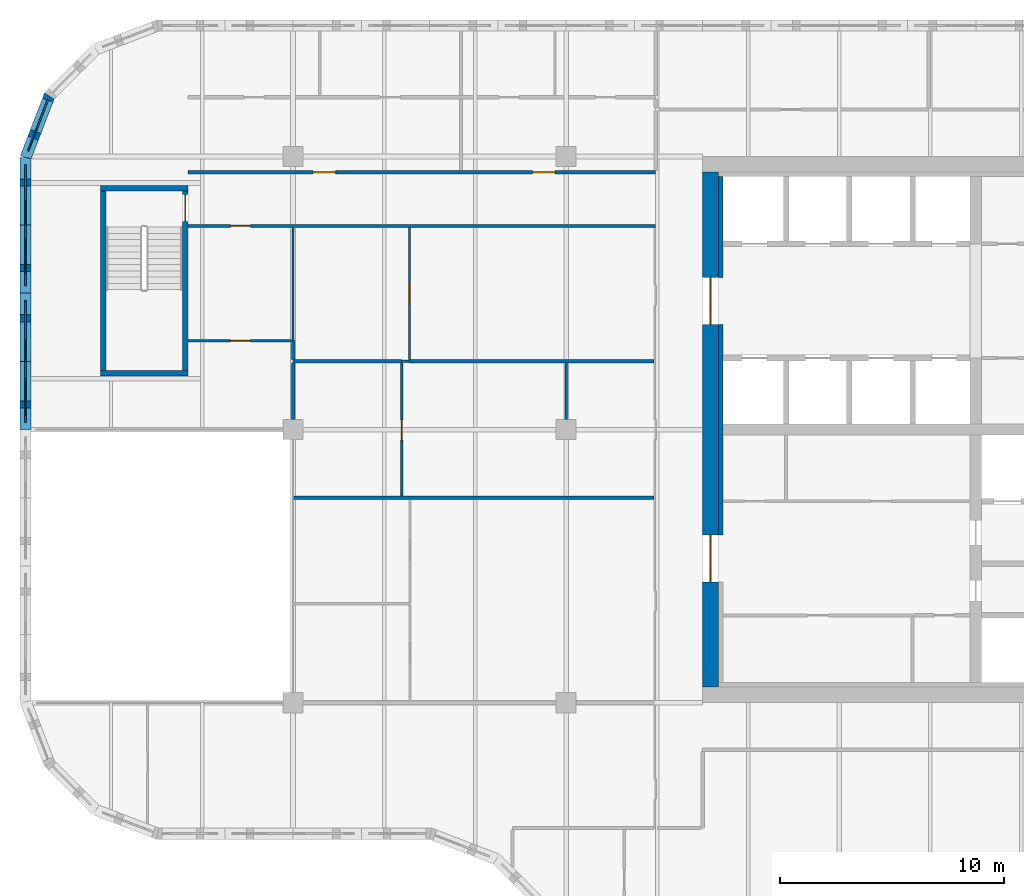
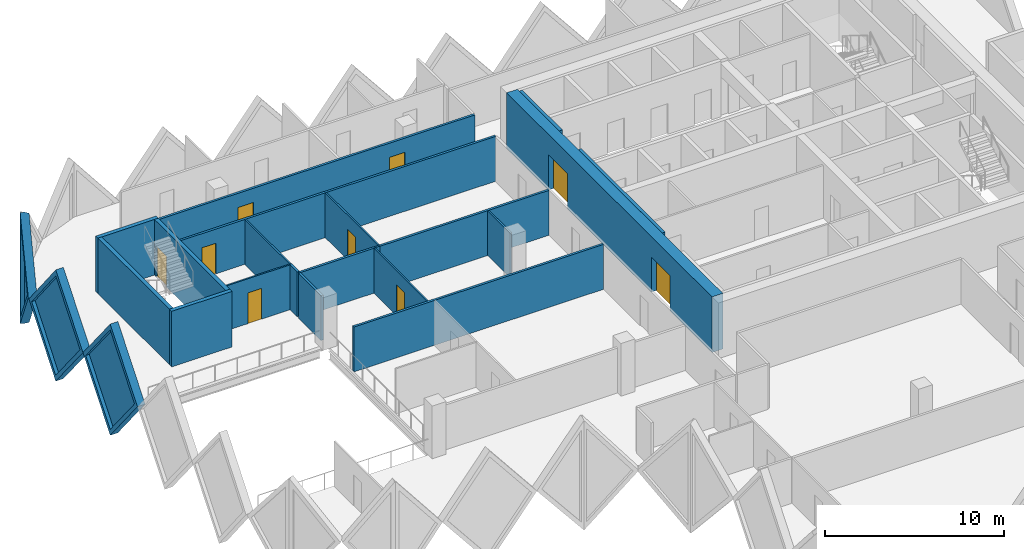
# One storey, part 7 of 12: 23 walls, 9 doors, 3 plates, 12 openings.
"""IFC4 building model written with IfcOpenShell, lengths in metres."""

import ifcopenshell
import ifcopenshell.guid

model = None  # the IFC model being written
_history = None  # IfcOwnerHistory: only IFC2X3 demands one
_inside = {}  # id of a spatial element -> (the spatial element, [elements in it])
_under = {}  # id of a project, library or spatial element -> (it, [spatial elements below it])
_declared = {}  # id of a project -> (the project, [libraries it declares])
_typed = {}  # id of a type object -> (the type object, [elements of that type])
_made_of = {}  # id of a material, layer set ... -> (it, [elements and type objects made of it])


def new_model(schema):
    """Start an empty IFC model of exactly this schema.

    Asked for "IFC4X3", IfcOpenShell would pick the latest addendum, in which some entities
    have other attributes; the version numbers below select the first issue.
    IFC2X3 requires an IfcOwnerHistory on every rooted entity: one is made here for all.
    """
    global model, _history
    if schema == "IFC4X3":
        model = ifcopenshell.file(schema_version=(4, 3, 0, 0))
    else:
        model = ifcopenshell.file(schema=schema)
    _inside.clear()
    _under.clear()
    _declared.clear()
    _typed.clear()
    _made_of.clear()
    _history = None
    if model.schema == "IFC2X3":
        org = make("IfcOrganization", Name="unknown")
        user = make(
            "IfcPersonAndOrganization",
            ThePerson=make("IfcPerson", FamilyName="unknown"),
            TheOrganization=org,
        )
        app = make(
            "IfcApplication",
            ApplicationDeveloper=org,
            Version="unknown",
            ApplicationFullName="unknown",
            ApplicationIdentifier="unknown",
        )
        _history = make(
            "IfcOwnerHistory",
            OwningUser=user,
            OwningApplication=app,
            ChangeAction="ADDED",
            CreationDate=0,
        )
    return model


def make(cls, **values):
    """One entity of the class cls with the attributes given. An attribute that is None is left unset."""
    return model.create_entity(
        cls, **{name: value for name, value in values.items() if value is not None}
    )


def rooted(cls, **values):
    """An entity with a GlobalId (a new one), such as an element, a storey or a relation."""
    return make(cls, GlobalId=ifcopenshell.guid.new(), OwnerHistory=_history, **values)


def si_unit(unit_type, name, prefix=None):
    """IfcSIUnit, for example si_unit("LENGTHUNIT", "METRE", prefix="MILLI")."""
    return make("IfcSIUnit", UnitType=unit_type, Prefix=prefix, Name=name)


def assignment(units):
    """IfcUnitAssignment: the units of a project."""
    return None if units is None else make("IfcUnitAssignment", Units=units)


def point(xyz):
    """IfcCartesianPoint."""
    return None if xyz is None else make("IfcCartesianPoint", Coordinates=xyz)


def direction(xyz):
    """IfcDirection."""
    return None if xyz is None else make("IfcDirection", DirectionRatios=xyz)


def frame(location, z_axis=None, x_axis=None):
    """IfcAxis2Placement3D, a coordinate frame: its origin and axes. An axis left out is left unset."""
    return make(
        "IfcAxis2Placement3D",
        Location=point(location),
        Axis=direction(z_axis),
        RefDirection=direction(x_axis),
    )


def frame_2d(location, x_axis=None):
    """IfcAxis2Placement2D, a coordinate frame in the plane: its origin and x axis."""
    return make(
        "IfcAxis2Placement2D", Location=point(location), RefDirection=direction(x_axis)
    )


def origin():
    """The frame at (0, 0, 0) with its axes left unset."""
    return frame((0.0, 0.0, 0.0))


def place(relative_to, where):
    """IfcLocalPlacement: puts the frame where relative to a parent placement (None: the world)."""
    return make(
        "IfcLocalPlacement", PlacementRelTo=relative_to, RelativePlacement=where
    )


def context(
    kind, dimensions, precision=None, world=None, true_north=None, identifier=None
):
    """IfcGeometricRepresentationContext, for example the 3D "Model" context."""
    return make(
        "IfcGeometricRepresentationContext",
        ContextIdentifier=identifier,
        ContextType=kind,
        CoordinateSpaceDimension=dimensions,
        Precision=precision,
        WorldCoordinateSystem=world,
        TrueNorth=true_north,
    )


def subcontext(parent, identifier, kind, view, scale=None):
    """IfcGeometricRepresentationSubContext, for example "Body" below "Model"."""
    return make(
        "IfcGeometricRepresentationSubContext",
        ContextIdentifier=identifier,
        ContextType=kind,
        ParentContext=parent,
        TargetScale=scale,
        TargetView=view,
    )


def project(units=None, contexts=None):
    """IfcProject with its units and contexts."""
    return rooted(
        "IfcProject",
        Name="project",
        RepresentationContexts=contexts,
        UnitsInContext=assignment(units),
    )


def spatial(cls, under=None, at=None, **own):
    """A site, building, storey or space (cls), placed at a placement, below another one or the project."""
    s = rooted(cls, ObjectPlacement=at, **own)
    if under is not None:
        _under.setdefault(under.id(), (under, []))[1].append(s)
    return s


def polyline(points):
    """IfcPolyline through the points."""
    return make("IfcPolyline", Points=[point(p) for p in points])


def profile(cls, at=None, kind="AREA", **sizes):
    """A parametric profile (cls). Its sizes go by their IFC names, for example OverallWidth=200.0."""
    return make(cls, ProfileType=kind, Position=at, **sizes)


def rectangle(**sizes):
    """IfcRectangleProfileDef."""
    return profile("IfcRectangleProfileDef", **sizes)


def outline(outer, holes=None, kind="AREA"):
    """IfcArbitraryClosedProfileDef: a profile drawn as a closed curve; with holes, ...WithVoids."""
    if holes is None:
        return make("IfcArbitraryClosedProfileDef", ProfileType=kind, OuterCurve=outer)
    return make(
        "IfcArbitraryProfileDefWithVoids",
        ProfileType=kind,
        OuterCurve=outer,
        InnerCurves=holes,
    )


def extrude(swept, where, along, depth):
    """IfcExtrudedAreaSolid: the profile swept, set in the frame where, extruded along a direction by depth."""
    return make(
        "IfcExtrudedAreaSolid",
        SweptArea=swept,
        Position=where,
        ExtrudedDirection=direction(along),
        Depth=depth,
    )


def faces_of(points, faces, orient=None, outer=None):
    """IfcFace entities. A face is a list of loops; a loop is a list of indices into points, from 0.

    orient and outer hold one flag for each loop. By default every Orientation is true, the
    first loop of a face is its IfcFaceOuterBound and the others are IfcFaceBound.
    """
    made = []
    for i, loops in enumerate(faces):
        bounds = []
        for j, loop in enumerate(loops):
            is_outer = j == 0 if outer is None else outer[i][j]
            bounds.append(
                make(
                    "IfcFaceOuterBound" if is_outer else "IfcFaceBound",
                    Bound=make("IfcPolyLoop", Polygon=[points[k] for k in loop]),
                    Orientation=True if orient is None else orient[i][j],
                )
            )
        made.append(make("IfcFace", Bounds=bounds))
    return made


def faceted_brep(points, faces, orient=None, outer=None, voids=None):
    """IfcFacetedBrep: a solid bounded by flat faces; with voids (closed shells), ...WithVoids."""
    shared = [point(p) for p in points]
    hull = make("IfcClosedShell", CfsFaces=faces_of(shared, faces, orient, outer))
    if voids is None:
        return make("IfcFacetedBrep", Outer=hull)
    return make(
        "IfcFacetedBrepWithVoids",
        Outer=hull,
        Voids=[
            make(cls, CfsFaces=faces_of(shared, fs, o, b)) for cls, fs, o, b in voids
        ],
    )


def shape(context_of_items, identifier, shape_type, items):
    """IfcShapeRepresentation: the items that make up one representation, for example the "Body"."""
    return make(
        "IfcShapeRepresentation",
        ContextOfItems=context_of_items,
        RepresentationIdentifier=identifier,
        RepresentationType=shape_type,
        Items=items,
    )


def source(mapping_origin, context_of_items, identifier, shape_type, items):
    """IfcRepresentationMap: a shape defined once, which mapped items show again and again."""
    return make(
        "IfcRepresentationMap",
        MappingOrigin=mapping_origin,
        MappedRepresentation=shape(context_of_items, identifier, shape_type, items),
    )


def transform(
    local_origin,
    x_axis=None,
    y_axis=None,
    z_axis=None,
    scale=None,
    scale2=None,
    scale3=None,
    uniform=True,
):
    """IfcCartesianTransformationOperator3D, or its non-uniform kind. x_axis, y_axis, z_axis: its Axis1, 2, 3."""
    if uniform:
        return make(
            "IfcCartesianTransformationOperator3D",
            Axis1=direction(x_axis),
            Axis2=direction(y_axis),
            LocalOrigin=point(local_origin),
            Scale=scale,
            Axis3=direction(z_axis),
        )
    return make(
        "IfcCartesianTransformationOperator3DnonUniform",
        Axis1=direction(x_axis),
        Axis2=direction(y_axis),
        LocalOrigin=point(local_origin),
        Scale=scale,
        Axis3=direction(z_axis),
        Scale2=scale2,
        Scale3=scale3,
    )


def mapped(mapping_source, mapping_target):
    """IfcMappedItem: shows the shape of a source again, moved by a transform."""
    return make(
        "IfcMappedItem", MappingSource=mapping_source, MappingTarget=mapping_target
    )


def material(Name=None, Category=None):
    """IfcMaterial."""
    return make("IfcMaterial", Name=Name, Category=Category)


def layer(
    of_material, thickness, ventilated=None, Name=None, Category=None, Priority=None
):
    """IfcMaterialLayer: one layer of a wall or slab, of a material (None: an air gap)."""
    return make(
        "IfcMaterialLayer",
        Material=of_material,
        LayerThickness=thickness,
        IsVentilated=ventilated,
        Name=Name,
        Category=Category,
        Priority=Priority,
    )


def layer_set(layers, Name=None):
    """IfcMaterialLayerSet."""
    return make("IfcMaterialLayerSet", MaterialLayers=layers, LayerSetName=Name)


def made_of(thing, what):
    """Note that an element or type object is made of a material, layer set ...; save() writes the relation."""
    if what is not None:
        _made_of.setdefault(what.id(), (what, []))[1].append(thing)
    return thing


def type_object(cls, material=None, **own):
    """A type object (cls), such as IfcWallType, which elements share."""
    return made_of(rooted(cls, **own), material)


def element(
    cls,
    number,
    at=None,
    inside=None,
    cuts=None,
    type_object=None,
    material=None,
    context=None,
    identifier="Body",
    shape_type=None,
    held_by="IfcProductDefinitionShape",
    body=None,
    shapes=None,
    **own,
):
    """One element of the class cls, such as IfcWall. Its Tag is "e" and its number.

    at: its placement. inside: the storey or other place that contains it. cuts: it is an
    opening in that element (IfcRelVoidsElement). A single representation is given by context,
    identifier, shape_type and body (its items); several are given by shapes. held_by: the class
    of the entity that holds the representations. save() writes the other relations.
    """
    e = rooted(cls, Tag="e%d" % number, ObjectPlacement=at, **own)
    if body is not None:
        shapes = [shape(context, identifier, shape_type, body)]
    if shapes is not None:
        e.Representation = make(held_by, Representations=shapes)
    if inside is not None:
        _inside.setdefault(inside.id(), (inside, []))[1].append(e)
    if cuts is not None:
        rooted(
            "IfcRelVoidsElement", RelatingBuildingElement=cuts, RelatedOpeningElement=e
        )
    if type_object is not None:
        _typed.setdefault(type_object.id(), (type_object, []))[1].append(e)
    return made_of(e, material)


def fill(opening, filler):
    """IfcRelFillsElement: the door or window that sits in an opening."""
    return rooted(
        "IfcRelFillsElement",
        RelatingOpeningElement=opening,
        RelatedBuildingElement=filler,
    )


def aggregate(whole, parts):
    """IfcRelAggregates: a whole, such as a stair, and the parts it consists of."""
    return rooted("IfcRelAggregates", RelatingObject=whole, RelatedObjects=parts)


def save(model, path):
    """Write the relations noted so far, then the file.

    IfcRelAggregates (storeys below a building ...), IfcRelContainedInSpatialStructure (elements
    in a storey), IfcRelDefinesByType, IfcRelAssociatesMaterial and IfcRelDeclares: one each for
    every whole, place, type object, material and project.
    """
    for whole, parts in _under.values():
        aggregate(whole, parts)
    for where, things in _inside.values():
        rooted(
            "IfcRelContainedInSpatialStructure",
            RelatedElements=things,
            RelatingStructure=where,
        )
    for kind, things in _typed.values():
        rooted("IfcRelDefinesByType", RelatedObjects=things, RelatingType=kind)
    for what, things in _made_of.values():
        rooted("IfcRelAssociatesMaterial", RelatedObjects=things, RelatingMaterial=what)
    for by, libraries in _declared.values():
        rooted("IfcRelDeclares", RelatingContext=by, RelatedDefinitions=libraries)
    model.write(path)


model = new_model("IFC4")

# Units and contexts
model_context = context("Model", 3, precision=1e-05, world=origin(), true_north=direction((0.0, 1.0)))
body_context = subcontext(model_context, "Body", "Model", "MODEL_VIEW")
ifc_project = project(units=[si_unit("LENGTHUNIT", "METRE"), si_unit("AREAUNIT", "SQUARE_METRE"), si_unit("VOLUMEUNIT", "CUBIC_METRE"), si_unit("PLANEANGLEUNIT", "RADIAN"), si_unit("MASSUNIT", "GRAM", prefix="KILO")], contexts=[model_context])

# Site, building, storey
site_placement = place(None, origin())
site = spatial("IfcSite", under=ifc_project, at=site_placement, CompositionType="ELEMENT")
building_placement = place(site_placement, origin())
building = spatial("IfcBuilding", under=site, at=building_placement, Name="Tessera Gate Towers", CompositionType="ELEMENT")
storey_placement = place(building_placement, frame((0.0, 0.0, 135.39990234375)))
storey = spatial("IfcBuildingStorey", under=building, at=storey_placement, Name="L33", CompositionType="ELEMENT", Elevation=135.39990234375)

# Walls
ifc_material_1 = material(Name="Concrete C40/50", Category="concrete")
ifc_layer_1 = layer(ifc_material_1, 0.25)
ifc_layer_set_1 = layer_set([ifc_layer_1], Name="CORE ENCLOSURE WALL 250")
wall_type_1 = type_object("IfcWallType", Name="CORE ENCLOSURE WALL 250", PredefinedType="SOLIDWALL", material=ifc_layer_set_1)
wall_1_placement = place(storey_placement, frame((7.5, 39.125, 0.0), z_axis=(0.0, 0.0, 1.0), x_axis=(-1.0, 0.0, 0.0)))
element("IfcWall", 1, at=wall_1_placement, inside=storey, type_object=wall_type_1, Name="L33 ST3 enclosure wall", PredefinedType="SOLIDWALL", context=body_context, shape_type="SweptSolid", body=[
    extrude(rectangle(XDim=3.89990234375, YDim=0.25, at=frame_2d((1.949951171875, 0.0))), origin(), (0.0, 0.0, 1.0), 3.800048828125),
])
wall_2_placement = place(storey_placement, frame((3.72509765625, 39.25, 0.0), z_axis=(0.0, 0.0, 1.0), x_axis=(0.0, 1.0, 0.0)))
element("IfcWall", 2, at=wall_2_placement, inside=storey, type_object=wall_type_1, Name="L33 ST3 enclosure wall", PredefinedType="SOLIDWALL", context=body_context, shape_type="SweptSolid", body=[
    extrude(rectangle(XDim=8.0, YDim=0.25, at=frame_2d((4.0, 0.0))), origin(), (0.0, 0.0, 1.0), 3.800048828125),
])
wall_3_placement = place(storey_placement, frame((3.60009765625, 47.375, 0.0), z_axis=(0.0, 0.0, 1.0), x_axis=(1.0, 0.0, 0.0)))
element("IfcWall", 3, at=wall_3_placement, inside=storey, type_object=wall_type_1, Name="L33 ST3 enclosure wall", PredefinedType="SOLIDWALL", context=body_context, shape_type="SweptSolid", body=[
    extrude(rectangle(XDim=3.89990234375, YDim=0.25, at=frame_2d((1.949951171875, 0.0))), origin(), (0.0, 0.0, 1.0), 3.800048828125),
])

# Wall, opening, door
wall_4_placement = place(storey_placement, frame((7.375, 47.25, 0.0), z_axis=(0.0, 0.0, 1.0), x_axis=(0.0, -1.0, 0.0)))
wall_4 = element("IfcWall", 4, at=wall_4_placement, inside=storey, type_object=wall_type_1, Name="L33 ST3 enclosure wall", PredefinedType="SOLIDWALL", context=body_context, shape_type="SweptSolid", body=[
    extrude(rectangle(XDim=8.0, YDim=0.25, at=frame_2d((4.0, 0.0))), origin(), (0.0, 0.0, 1.0), 3.800048828125),
])
shared_shape_1 = source(origin(), body_context, "Body", "SweptSolid", [
    extrude(rectangle(XDim=1.199951171875, YDim=2.10009765625, at=frame_2d((0.60009765625, 1.050048828125))), frame((0.0, 0.135009765625, 0.0), z_axis=(0.0, -1.0, 0.0), x_axis=(1.0, 0.0, 0.0)), (0.0, 0.0, 1.0), 0.27001953125),
])
opening_1_placement = place(wall_4_placement, frame((0.14990234375, 0.0, 0.0)))
opening_1 = element("IfcOpeningElement", 5, at=opening_1_placement, cuts=wall_4, Name="Opening SD-ST3-1", PredefinedType="OPENING", context=body_context, shape_type="MappedRepresentation", body=[
    mapped(shared_shape_1, transform((0.0, 0.0, 0.0), scale=1.0)),
])
ifc_material_2 = material(Name="Hollow steel fire door", Category="steel")
door_type_1 = type_object("IfcDoorType", Name="CORE DOOR SD 1200x2100", OperationType="NOTDEFINED", PredefinedType="DOOR", material=ifc_material_2)
shared_shape_2 = source(origin(), body_context, "Body", "SweptSolid", [
    extrude(rectangle(XDim=1.199951171875, YDim=2.10009765625, at=frame_2d((0.60009765625, 1.050048828125))), frame((0.0, 0.02490234375, 0.0), z_axis=(0.0, -1.0, 0.0), x_axis=(1.0, 0.0, 0.0)), (0.0, 0.0, 1.0), 0.050048828125),
])
door_1_placement = place(opening_1_placement, origin())
door_1 = element("IfcDoor", 6, at=door_1_placement, inside=storey, type_object=door_type_1, Name="Stair door", OperationType="SINGLE_SWING_LEFT", OverallHeight=2.10009765625, OverallWidth=1.199951171875, PredefinedType="DOOR", context=body_context, shape_type="MappedRepresentation", body=[
    mapped(shared_shape_2, transform((0.0, 0.0, 0.0), scale=1.0)),
])
fill(opening_1, door_1)

# Wall, openings, doors
ifc_material_3 = material(Name="Concrete C60/75", Category="concrete")
ifc_layer_2 = layer(ifc_material_3, 0.699951171875)
ifc_layer_set_2 = layer_set([ifc_layer_2], Name="CORE SHEAR WALL 700 C60/75")
wall_type_2 = type_object("IfcWallType", Name="CORE SHEAR WALL 700 C60/75", PredefinedType="SHEAR", material=ifc_layer_set_2)
wall_5_placement = place(storey_placement, frame((30.85009765625, 25.10009765625, 0.0), z_axis=(0.0, 0.0, 1.0), x_axis=(0.0, 1.0, 0.0)))
wall_5 = element("IfcWall", 7, at=wall_5_placement, inside=storey, type_object=wall_type_2, Name="Core wall W L33", PredefinedType="SHEAR", context=body_context, shape_type="SweptSolid", body=[
    extrude(rectangle(XDim=23.0, YDim=0.699951171875, at=frame_2d((11.5, 0.0))), origin(), (0.0, 0.0, 1.0), 3.800048828125),
])
shared_shape_3 = source(origin(), body_context, "Body", "SweptSolid", [
    extrude(rectangle(XDim=2.10009765625, YDim=2.39990234375, at=frame_2d((1.050048828125, 1.199951171875))), frame((0.0, 0.35986328125, 0.0), z_axis=(0.0, -1.0, 0.0), x_axis=(1.0, 0.0, 0.0)), (0.0, 0.0, 1.0), 0.719970703125),
])
opening_2_placement = place(wall_5_placement, frame((4.699951171875, 0.0, 0.0)))
opening_2 = element("IfcOpeningElement", 8, at=opening_2_placement, cuts=wall_5, Name="Opening DD-T1-22-02", PredefinedType="OPENING", context=body_context, shape_type="MappedRepresentation", body=[
    mapped(shared_shape_3, transform((0.0, 0.0, 0.0), scale=1.0)),
])
opening_3_placement = place(wall_5_placement, frame((16.199951171875, 0.0, 0.0)))
opening_3 = element("IfcOpeningElement", 9, at=opening_3_placement, cuts=wall_5, Name="Opening DD-T1-22-03", PredefinedType="OPENING", context=body_context, shape_type="MappedRepresentation", body=[
    mapped(shared_shape_3, transform((0.0, 0.0, 0.0), scale=1.0)),
])
ifc_material_4 = material(Name="Hollow steel fire door", Category="steel")
door_type_2 = type_object("IfcDoorType", Name="CORE DOOR DD 2100x2400", OperationType="NOTDEFINED", PredefinedType="DOOR", material=ifc_material_4)
shared_shape_4 = source(origin(), body_context, "Body", "SweptSolid", [
    extrude(rectangle(XDim=2.10009765625, YDim=2.39990234375, at=frame_2d((1.050048828125, 1.199951171875))), frame((0.0, 0.02490234375, 0.0), z_axis=(0.0, -1.0, 0.0), x_axis=(1.0, 0.0, 0.0)), (0.0, 0.0, 1.0), 0.050048828125),
])
door_2_placement = place(opening_2_placement, origin())
door_2 = element("IfcDoor", 10, at=door_2_placement, inside=storey, type_object=door_type_2, Name="Core entrance door", OperationType="DOUBLE_DOOR_SINGLE_SWING", OverallHeight=2.39990234375, OverallWidth=2.10009765625, PredefinedType="DOOR", context=body_context, shape_type="MappedRepresentation", body=[
    mapped(shared_shape_4, transform((0.0, 0.0, 0.0), scale=1.0)),
])
fill(opening_2, door_2)
door_3_placement = place(opening_3_placement, origin())
door_3 = element("IfcDoor", 11, at=door_3_placement, inside=storey, type_object=door_type_2, Name="Core entrance door", OperationType="DOUBLE_DOOR_SINGLE_SWING", OverallHeight=2.39990234375, OverallWidth=2.10009765625, PredefinedType="DOOR", context=body_context, shape_type="MappedRepresentation", body=[
    mapped(shared_shape_4, transform((0.0, 0.0, 0.0), scale=1.0)),
])
fill(opening_3, door_3)

# Walls
ifc_material_5 = material(Name="Concrete C60/75", Category="concrete")
ifc_layer_3 = layer(ifc_material_5, 0.199951171875)
ifc_layer_set_3 = layer_set([ifc_layer_3], Name="CORE WALL THICKENING 200")
wall_type_3 = type_object("IfcWallType", Name="CORE WALL THICKENING 200", PredefinedType="SOLIDWALL", material=ifc_layer_set_3)
wall_6_placement = place(storey_placement, frame((31.300048828125, 31.89990234375, 0.0), z_axis=(0.0, 0.0, 1.0), x_axis=(0.0, 1.0, 0.0)))
element("IfcWall", 12, at=wall_6_placement, inside=storey, type_object=wall_type_3, Name="Core wall thickening W L33", PredefinedType="SOLIDWALL", context=body_context, shape_type="SweptSolid", body=[
    extrude(rectangle(XDim=9.400146484375, YDim=0.199951171875, at=frame_2d((4.7001953125, 0.0))), origin(), (0.0, 0.0, 1.0), 3.800048828125),
])
wall_7_placement = place(storey_placement, frame((31.300048828125, 43.39990234375, 0.0), z_axis=(0.0, 0.0, 1.0), x_axis=(0.0, 1.0, 0.0)))
element("IfcWall", 13, at=wall_7_placement, inside=storey, type_object=wall_type_3, Name="Core wall thickening W L33", PredefinedType="SOLIDWALL", context=body_context, shape_type="SweptSolid", body=[
    extrude(rectangle(XDim=4.5, YDim=0.199951171875, at=frame_2d((2.25, 0.0))), origin(), (0.0, 0.0, 1.0), 3.800048828125),
])

# Wall, opening, door
ifc_material_6 = material(Name="Gypsum board on steel studs, mineral wool", Category="steel")
ifc_layer_4 = layer(ifc_material_6, 0.14990234375)
ifc_layer_set_4 = layer_set([ifc_layer_4], Name="CORRIDOR WALL 150")
wall_type_4 = type_object("IfcWallType", Name="CORRIDOR WALL 150", PredefinedType="PARTITIONING", material=ifc_layer_set_4)
wall_8_placement = place(storey_placement, frame((28.39990234375, 45.699951171875, 0.0), z_axis=(0.0, 0.0, 1.0), x_axis=(-1.0, 0.0, 0.0)))
wall_8 = element("IfcWall", 14, at=wall_8_placement, inside=storey, type_object=wall_type_4, Name="T1-L33-PW-046", PredefinedType="PARTITIONING", context=body_context, shape_type="SweptSolid", body=[
    extrude(rectangle(XDim=20.89990234375, YDim=0.14990234375, at=frame_2d((10.449951171875, 0.0))), origin(), (0.0, 0.0, 1.0), 3.067138671875),
])
shared_shape_5 = source(origin(), body_context, "Body", "SweptSolid", [
    extrude(rectangle(XDim=0.89990234375, YDim=2.10009765625, at=frame_2d((0.449951171875, 1.050048828125))), frame((0.0, 0.0849609375, 0.0), z_axis=(0.0, -1.0, 0.0), x_axis=(1.0, 0.0, 0.0)), (0.0, 0.0, 1.0), 0.169921875),
])
opening_4_placement = place(wall_8_placement, frame((18.10009765625, 0.0, 0.0)))
opening_4 = element("IfcOpeningElement", 15, at=opening_4_placement, cuts=wall_8, Name="Opening D890FD60-A12-02", PredefinedType="OPENING", context=body_context, shape_type="MappedRepresentation", body=[
    mapped(shared_shape_5, transform((0.0, 0.0, 0.0), scale=1.0)),
])
ifc_material_7 = material(Name="Timber door leaf in steel frame", Category="steel")
door_type_3 = type_object("IfcDoorType", Name="CORRIDOR DOOR 900 FD60", OperationType="NOTDEFINED", PredefinedType="DOOR", material=ifc_material_7)
shared_shape_6 = source(origin(), body_context, "Body", "SweptSolid", [
    extrude(rectangle(XDim=0.89990234375, YDim=2.10009765625, at=frame_2d((0.449951171875, 1.050048828125))), frame((0.0, 0.02490234375, 0.0), z_axis=(0.0, -1.0, 0.0), x_axis=(1.0, 0.0, 0.0)), (0.0, 0.0, 1.0), 0.050048828125),
])
door_4_placement = place(opening_4_placement, origin())
door_4 = element("IfcDoor", 16, at=door_4_placement, inside=storey, type_object=door_type_3, Name="T1-L33-PD-010", OperationType="SINGLE_SWING_RIGHT", OverallHeight=2.10009765625, OverallWidth=0.89990234375, PredefinedType="DOOR", context=body_context, shape_type="MappedRepresentation", body=[
    mapped(shared_shape_6, transform((0.0, 0.0, 0.0), scale=1.0)),
])
fill(opening_4, door_4)

# Wall, openings, doors
wall_9_placement = place(storey_placement, frame((7.5, 48.10009765625, 0.0), z_axis=(0.0, 0.0, 1.0), x_axis=(1.0, 0.0, 0.0)))
wall_9 = element("IfcWall", 17, at=wall_9_placement, inside=storey, type_object=wall_type_4, Name="T1-L33-PW-047", PredefinedType="PARTITIONING", context=body_context, shape_type="SweptSolid", body=[
    extrude(rectangle(XDim=20.89990234375, YDim=0.14990234375, at=frame_2d((10.449951171875, 0.0))), origin(), (0.0, 0.0, 1.0), 3.067138671875),
])
shared_shape_7 = source(origin(), body_context, "Body", "SweptSolid", [
    extrude(rectangle(XDim=1.0, YDim=2.10009765625, at=frame_2d((0.5, 1.050048828125))), frame((0.0, 0.0849609375, 0.0), z_axis=(0.0, -1.0, 0.0), x_axis=(1.0, 0.0, 0.0)), (0.0, 0.0, 1.0), 0.169921875),
])
opening_5_placement = place(wall_9_placement, frame((15.40087890625, 0.0, 0.0)))
opening_5 = element("IfcOpeningElement", 18, at=opening_5_placement, cuts=wall_9, Name="Opening D2100FD60-A12-02", PredefinedType="OPENING", context=body_context, shape_type="MappedRepresentation", body=[
    mapped(shared_shape_7, transform((0.0, 0.0, 0.0), scale=1.0)),
])
opening_6_placement = place(wall_9_placement, frame((5.60009765625, 0.0, 0.0)))
opening_6 = element("IfcOpeningElement", 19, at=opening_6_placement, cuts=wall_9, Name="Opening D2100FD60-A12-03", PredefinedType="OPENING", context=body_context, shape_type="MappedRepresentation", body=[
    mapped(shared_shape_7, transform((0.0, 0.0, 0.0), scale=1.0)),
])
ifc_material_8 = material(Name="Timber door leaf in steel frame", Category="steel")
door_type_4 = type_object("IfcDoorType", Name="TENANCY ENTRANCE DOOR 1000 FD60", OperationType="NOTDEFINED", PredefinedType="DOOR", material=ifc_material_8)
shared_shape_8 = source(origin(), body_context, "Body", "SweptSolid", [
    extrude(rectangle(XDim=1.0, YDim=2.10009765625, at=frame_2d((0.5, 1.050048828125))), frame((0.0, 0.02490234375, 0.0), z_axis=(0.0, -1.0, 0.0), x_axis=(1.0, 0.0, 0.0)), (0.0, 0.0, 1.0), 0.050048828125),
])
door_5_placement = place(opening_5_placement, origin())
door_5 = element("IfcDoor", 20, at=door_5_placement, inside=storey, type_object=door_type_4, Name="T1-L33-PD-025", OperationType="SINGLE_SWING_LEFT", OverallHeight=2.10009765625, OverallWidth=1.0, PredefinedType="DOOR", context=body_context, shape_type="MappedRepresentation", body=[
    mapped(shared_shape_8, transform((0.0, 0.0, 0.0), scale=1.0)),
])
fill(opening_5, door_5)
door_6_placement = place(opening_6_placement, origin())
door_6 = element("IfcDoor", 21, at=door_6_placement, inside=storey, type_object=door_type_4, Name="T1-L33-PD-030", OperationType="SINGLE_SWING_LEFT", OverallHeight=2.10009765625, OverallWidth=1.0, PredefinedType="DOOR", context=body_context, shape_type="MappedRepresentation", body=[
    mapped(shared_shape_8, transform((0.0, 0.0, 0.0), scale=1.0)),
])
fill(opening_6, door_6)

# Wall
ifc_material_9 = material(Name="Glass", Category="glass")
ifc_layer_5 = layer(ifc_material_9, 0.10009765625)
ifc_layer_set_5 = layer_set([ifc_layer_5], Name="GLAZED PARTITION 100")
wall_type_5 = type_object("IfcWallType", Name="GLAZED PARTITION 100", PredefinedType="PARTITIONING", material=ifc_layer_set_5)
wall_10_placement = place(storey_placement, frame((17.051025390625, 39.64990234375, 0.0), z_axis=(0.0, 0.0, 1.0), x_axis=(1.0, 0.0, 0.0)))
element("IfcWall", 22, at=wall_10_placement, inside=storey, type_object=wall_type_5, Name="T1-L33-PW-040", PredefinedType="PARTITIONING", context=body_context, shape_type="SweptSolid", body=[
    extrude(rectangle(XDim=0.347900390625, YDim=0.10009765625, at=frame_2d((0.173828125, 0.0))), origin(), (0.0, 0.0, 1.0), 3.067138671875),
])

# Wall, opening, door
wall_11_placement = place(storey_placement, frame((17.39990234375, 39.72607421875, 0.0), z_axis=(0.0, 0.0, 1.0), x_axis=(0.0, 1.0, 0.0)))
wall_11 = element("IfcWall", 23, at=wall_11_placement, inside=storey, type_object=wall_type_5, Name="T1-L33-PW-043", PredefinedType="PARTITIONING", context=body_context, shape_type="SweptSolid", body=[
    extrude(rectangle(XDim=5.89794921875, YDim=0.10009765625, at=frame_2d((2.948974609375, 0.0))), origin(), (0.0, 0.0, 1.0), 3.067138671875),
])
shared_shape_9 = source(origin(), body_context, "Body", "SweptSolid", [
    extrude(rectangle(XDim=0.89990234375, YDim=2.10009765625, at=frame_2d((0.449951171875, 1.050048828125))), frame((0.0, 0.06005859375, 0.0), z_axis=(0.0, -1.0, 0.0), x_axis=(1.0, 0.0, 0.0)), (0.0, 0.0, 1.0), 0.1201171875),
])
opening_7_placement = place(wall_11_placement, frame((2.5, 0.0, 0.0)))
opening_7 = element("IfcOpeningElement", 24, at=opening_7_placement, cuts=wall_11, Name="Opening D690-A12-03", PredefinedType="OPENING", context=body_context, shape_type="MappedRepresentation", body=[
    mapped(shared_shape_9, transform((0.0, 0.0, 0.0), scale=1.0)),
])
ifc_material_10 = material(Name="Glass in aluminium frame", Category="aluminium")
door_type_5 = type_object("IfcDoorType", Name="GLAZED DOOR 900 NOT RATED", OperationType="NOTDEFINED", PredefinedType="DOOR", material=ifc_material_10)
door_7_placement = place(opening_7_placement, origin())
door_7 = element("IfcDoor", 25, at=door_7_placement, inside=storey, type_object=door_type_5, Name="T1-L33-PD-017", OperationType="SINGLE_SWING_LEFT", OverallHeight=2.10009765625, OverallWidth=0.89990234375, PredefinedType="DOOR", context=body_context, shape_type="MappedRepresentation", body=[
    mapped(shared_shape_6, transform((0.0, 0.0, 0.0), scale=1.0)),
])
fill(opening_7, door_7)

wall_12_placement = place(storey_placement, frame((12.1240234375, 40.574951171875, 0.0), z_axis=(0.0, 0.0, 1.0), x_axis=(-1.0, 0.0, 0.0)))
wall_12 = element("IfcWall", 26, at=wall_12_placement, inside=storey, type_object=wall_type_5, Name="T1-L33-PW-044", PredefinedType="PARTITIONING", context=body_context, shape_type="SweptSolid", body=[
    extrude(rectangle(XDim=4.6240234375, YDim=0.10009765625, at=frame_2d((2.31201171875, 0.0))), origin(), (0.0, 0.0, 1.0), 3.067138671875),
])
opening_8_placement = place(wall_12_placement, frame((1.823974609375, 0.0, 0.0)))
opening_8 = element("IfcOpeningElement", 27, at=opening_8_placement, cuts=wall_12, Name="Opening D690-A12-01", PredefinedType="OPENING", context=body_context, shape_type="MappedRepresentation", body=[
    mapped(shared_shape_9, transform((0.0, 0.0, 0.0), scale=1.0)),
])
door_8_placement = place(opening_8_placement, origin())
door_8 = element("IfcDoor", 28, at=door_8_placement, inside=storey, type_object=door_type_5, Name="T1-L33-PD-009", OperationType="SINGLE_SWING_RIGHT", OverallHeight=2.10009765625, OverallWidth=0.89990234375, PredefinedType="DOOR", context=body_context, shape_type="MappedRepresentation", body=[
    mapped(shared_shape_6, transform((0.0, 0.0, 0.0), scale=1.0)),
])
fill(opening_8, door_8)

# Wall
wall_13_placement = place(storey_placement, frame((12.199951171875, 40.575927734375, 0.0), z_axis=(0.0, 0.0, 1.0), x_axis=(0.0, 1.0, 0.0)))
element("IfcWall", 29, at=wall_13_placement, inside=storey, type_object=wall_type_5, Name="T1-L33-PW-045", PredefinedType="PARTITIONING", context=body_context, shape_type="SweptSolid", body=[
    extrude(rectangle(XDim=5.048095703125, YDim=0.10009765625, at=frame_2d((2.52392578125, 0.0))), origin(), (0.0, 0.0, 1.0), 3.067138671875),
])

# Wall, opening, door
ifc_material_11 = material(Name="Gypsum board on steel studs", Category="steel")
ifc_layer_6 = layer(ifc_material_11, 0.10009765625)
ifc_layer_set_6 = layer_set([ifc_layer_6], Name="PARTITION 100")
wall_type_6 = type_object("IfcWallType", Name="PARTITION 100", PredefinedType="PARTITIONING", material=ifc_layer_set_6)
wall_14_placement = place(storey_placement, frame((17.050048828125, 33.6259765625, 0.0), z_axis=(0.0, 0.0, 1.0), x_axis=(0.0, 1.0, 0.0)))
wall_14 = element("IfcWall", 30, at=wall_14_placement, inside=storey, type_object=wall_type_6, Name="T1-L33-PW-036", PredefinedType="PARTITIONING", context=body_context, shape_type="SweptSolid", body=[
    extrude(rectangle(XDim=5.947998046875, YDim=0.10009765625, at=frame_2d((2.97412109375, 0.0))), origin(), (0.0, 0.0, 1.0), 3.067138671875),
])
opening_9_placement = place(wall_14_placement, frame((2.5, 0.0, 0.0)))
opening_9 = element("IfcOpeningElement", 31, at=opening_9_placement, cuts=wall_14, Name="Opening D190-A12-12", PredefinedType="OPENING", context=body_context, shape_type="MappedRepresentation", body=[
    mapped(shared_shape_9, transform((0.0, 0.0, 0.0), scale=1.0)),
])
ifc_material_12 = material(Name="Timber door leaf in steel frame", Category="steel")
door_type_6 = type_object("IfcDoorType", Name="INTERNAL DOOR 900 NOT RATED", OperationType="NOTDEFINED", PredefinedType="DOOR", material=ifc_material_12)
door_9_placement = place(opening_9_placement, origin())
door_9 = element("IfcDoor", 32, at=door_9_placement, inside=storey, type_object=door_type_6, Name="T1-L33-PD-018", OperationType="SINGLE_SWING_LEFT", OverallHeight=2.10009765625, OverallWidth=0.89990234375, PredefinedType="DOOR", context=body_context, shape_type="MappedRepresentation", body=[
    mapped(shared_shape_6, transform((0.0, 0.0, 0.0), scale=1.0)),
])
fill(opening_9, door_9)

# Walls
wall_15_placement = place(storey_placement, frame((24.39990234375, 37.050048828125, 0.0), z_axis=(0.0, 0.0, 1.0), x_axis=(0.0, 1.0, 0.0)))
element("IfcWall", 33, at=wall_15_placement, inside=storey, type_object=wall_type_6, Name="T1-L33-PW-038", PredefinedType="PARTITIONING", context=body_context, shape_type="SweptSolid", body=[
    extrude(rectangle(XDim=2.52490234375, YDim=0.10009765625, at=frame_2d((1.262451171875, 0.0))), origin(), (0.0, 0.0, 1.0), 3.067138671875),
])
ifc_material_13 = material(Name="Gypsum board on steel studs, mineral wool", Category="steel")
ifc_layer_7 = layer(ifc_material_13, 0.14990234375)
ifc_layer_set_7 = layer_set([ifc_layer_7], Name="TENANCY WALL 150")
wall_type_7 = type_object("IfcWallType", Name="TENANCY WALL 150", PredefinedType="PARTITIONING", material=ifc_layer_set_7)
wall_16_placement = place(storey_placement, frame((12.199951171875, 33.550048828125, 0.0), z_axis=(0.0, 0.0, 1.0), x_axis=(1.0, 0.0, 0.0)))
element("IfcWall", 34, at=wall_16_placement, inside=storey, type_object=wall_type_7, Name="T1-L33-PW-035", PredefinedType="PARTITIONING", context=body_context, shape_type="SweptSolid", body=[
    extrude(rectangle(XDim=16.1240234375, YDim=0.14990234375, at=frame_2d((8.06201171875, 0.0))), origin(), (0.0, 0.0, 1.0), 3.067138671875),
])
wall_17_placement = place(storey_placement, frame((12.199951171875, 37.051025390625, 0.0), z_axis=(0.0, 0.0, 1.0), x_axis=(0.0, 1.0, 0.0)))
element("IfcWall", 35, at=wall_17_placement, inside=storey, type_object=wall_type_7, Name="T1-L33-PW-037", PredefinedType="PARTITIONING", context=body_context, shape_type="SweptSolid", body=[
    extrude(rectangle(XDim=2.52294921875, YDim=0.14990234375, at=frame_2d((1.261474609375, 0.0))), origin(), (0.0, 0.0, 1.0), 3.067138671875),
])
wall_18_placement = place(storey_placement, frame((12.199951171875, 39.64990234375, 0.0), z_axis=(0.0, 0.0, 1.0), x_axis=(1.0, 0.0, 0.0)))
element("IfcWall", 36, at=wall_18_placement, inside=storey, type_object=wall_type_7, Name="T1-L33-PW-039", PredefinedType="PARTITIONING", context=body_context, shape_type="SweptSolid", body=[
    extrude(rectangle(XDim=4.85009765625, YDim=0.14990234375, at=frame_2d((2.425048828125, 0.0))), origin(), (0.0, 0.0, 1.0), 3.067138671875),
])
wall_19_placement = place(storey_placement, frame((17.39990234375, 39.64990234375, 0.0), z_axis=(0.0, 0.0, 1.0), x_axis=(1.0, 0.0, 0.0)))
element("IfcWall", 37, at=wall_19_placement, inside=storey, type_object=wall_type_7, Name="T1-L33-PW-041", PredefinedType="PARTITIONING", context=body_context, shape_type="SweptSolid", body=[
    extrude(rectangle(XDim=10.924072265625, YDim=0.14990234375, at=frame_2d((5.4619140625, 0.0))), origin(), (0.0, 0.0, 1.0), 3.067138671875),
])
wall_20_placement = place(storey_placement, frame((12.199951171875, 39.72607421875, 0.0), z_axis=(0.0, 0.0, 1.0), x_axis=(0.0, 1.0, 0.0)))
element("IfcWall", 38, at=wall_20_placement, inside=storey, type_object=wall_type_7, Name="T1-L33-PW-042", PredefinedType="PARTITIONING", context=body_context, shape_type="SweptSolid", body=[
    extrude(rectangle(XDim=0.848876953125, YDim=0.14990234375, at=frame_2d((0.42431640625, 0.0))), origin(), (0.0, 0.0, 1.0), 3.067138671875),
])

# Wall, opening, plate
ifc_material_14 = material(Name="Precast concrete C60/75 white", Category="concrete")
ifc_layer_8 = layer(ifc_material_14, 0.5)
ifc_layer_set_8 = layer_set([ifc_layer_8], Name="TS1 tessera")
wall_type_8 = type_object("IfcWallType", Name="TS1 tessera", PredefinedType="SOLIDWALL", material=ifc_layer_set_8)
shared_shape_10 = source(origin(), body_context, "Body", "Brep", [
    faceted_brep([(3.050048828125, -0.25, 0.0), (6.099853515625, -0.25, 3.799560546875), (6.099853515625, -0.25, 3.800048828125), (3.050048828125, -0.25, 7.599853515625), (0.0, -0.25, 3.7998046875), (0.0, 0.25, 3.7998046875), (3.050048828125, 0.25, 7.599853515625), (6.099853515625, 0.25, 3.800048828125), (6.099853515625, 0.25, 3.799560546875), (3.050048828125, 0.25, 0.0)], [[[0, 1, 2, 3, 4]], [[5, 6, 7, 8, 9]], [[9, 8, 1, 0]], [[7, 6, 3, 2]], [[6, 5, 4, 3]], [[5, 9, 0, 4]], [[1, 8, 7, 2]]]),
])
wall_21_placement = place(storey_placement, frame((0.25, 42.699951171875, -3.7998046875), z_axis=(0.0, 0.0, 1.0), x_axis=(0.0, -1.0, 0.0)))
wall_21 = element("IfcWall", 39, at=wall_21_placement, inside=storey, type_object=wall_type_8, Name="Precast tessera T1 TS1-0570", PredefinedType="SOLIDWALL", context=body_context, shape_type="MappedRepresentation", body=[
    mapped(shared_shape_10, transform((0.0, 0.0, 0.0), scale=1.0)),
])
shared_shape_11 = source(origin(), body_context, "Body", "SweptSolid", [
    extrude(outline(polyline([(3.050048828125, 0.3994140625), (5.779541015625, 3.7998046875), (3.050048828125, 7.200439453125), (0.320556640625, 3.7998046875), (3.050048828125, 0.3994140625)])), frame((0.0, 0.260009765625, 0.0), z_axis=(0.0, -1.0, 0.0), x_axis=(1.0, 0.0, 0.0)), (0.0, 0.0, 1.0), 0.52001953125),
])
opening_10_placement = place(wall_21_placement, origin())
opening_10 = element("IfcOpeningElement", 40, at=opening_10_placement, cuts=wall_21, Name="Opening T1-PL2-1160", PredefinedType="OPENING", context=body_context, shape_type="MappedRepresentation", body=[
    mapped(shared_shape_11, transform((0.0, 0.0, 0.0), scale=1.0)),
])
ifc_material_15 = material(Name="Low-e laminated glass", Category="glass")
ifc_layer_9 = layer(ifc_material_15, 0.06005859375)
ifc_layer_set_9 = layer_set([ifc_layer_9], Name="PL2 rhombic pane")
plate_type = type_object("IfcPlateType", Name="PL2 rhombic pane", PredefinedType="SHEET", material=ifc_layer_set_9)
shared_shape_12 = source(origin(), body_context, "Body", "SweptSolid", [
    extrude(outline(polyline([(3.050048828125, 0.3994140625), (5.779541015625, 3.7998046875), (3.050048828125, 7.200439453125), (0.320556640625, 3.7998046875), (3.050048828125, 0.3994140625)])), frame((0.0, 0.030029296875, 0.0), z_axis=(0.0, -1.0, 0.0), x_axis=(1.0, 0.0, 0.0)), (0.0, 0.0, 1.0), 0.06005859375),
])
plate_1_placement = place(opening_10_placement, origin())
plate_1 = element("IfcPlate", 41, at=plate_1_placement, inside=storey, type_object=plate_type, Name="Glass pane T1 PL2-1160", PredefinedType="SHEET", context=body_context, shape_type="MappedRepresentation", body=[
    mapped(shared_shape_12, transform((0.0, 0.0, 0.0), scale=1.0)),
])
fill(opening_10, plate_1)

ifc_material_16 = material(Name="Precast concrete C60/75 white", Category="concrete")
ifc_layer_10 = layer(ifc_material_16, 0.5)
ifc_layer_set_10 = layer_set([ifc_layer_10], Name="TS3 corner tessera")
wall_type_9 = type_object("IfcWallType", Name="TS3 corner tessera", PredefinedType="SOLIDWALL", material=ifc_layer_set_10)
shared_shape_13 = source(origin(), body_context, "Body", "Brep", [
    faceted_brep([(0.052978515625, -0.25, 0.0), (3.00341796875, -0.25, 3.7998046875), (0.052978515625, -0.25, 7.599853515625), (0.0, -0.25, 7.531494140625), (0.0, -0.25, 0.068359375), (0.10595703125, 0.25, 7.53173828125), (2.95703125, 0.25, 3.859619140625), (2.95703125, 0.25, 3.739990234375), (0.10595703125, 0.25, 0.068115234375), (3.00341796875, 0.00048828125, 3.7998046875), (0.052978515625, 0.0, 0.0), (0.052978515625, 0.0, 7.599853515625)], [[[0, 1, 2, 3, 4]], [[5, 6, 7, 8]], [[8, 7, 9, 1, 0, 10]], [[6, 5, 11, 2, 1, 9]], [[3, 2, 11]], [[10, 0, 4]], [[8, 10, 4, 3, 11, 5]], [[9, 7, 6]]]),
])
wall_22_placement = place(storey_placement, frame((1.3310546875, 51.5556640625, -3.7998046875), z_axis=(0.0, 0.0, 1.0), x_axis=(-0.35992665181, -0.932980602862, 0.0)))
wall_22 = element("IfcWall", 42, at=wall_22_placement, inside=storey, type_object=wall_type_9, Name="Precast corner tessera T1 TS3-0758", PredefinedType="SOLIDWALL", context=body_context, shape_type="MappedRepresentation", body=[
    mapped(shared_shape_13, transform((0.0, 0.0, 0.0), scale=1.0)),
])
shared_shape_14 = source(origin(), body_context, "Body", "SweptSolid", [
    extrude(outline(polyline([(0.2529296875, 0.6650390625), (2.68701171875, 3.7998046875), (0.2529296875, 6.9345703125), (0.2529296875, 0.6650390625)])), frame((0.0, 0.260009765625, 0.0), z_axis=(0.0, -1.0, 0.0), x_axis=(1.0, 0.0, 0.0)), (0.0, 0.0, 1.0), 0.52001953125),
])
opening_11_placement = place(wall_22_placement, origin())
opening_11 = element("IfcOpeningElement", 43, at=opening_11_placement, cuts=wall_22, Name="Opening T1-PL2-1158", PredefinedType="OPENING", context=body_context, shape_type="MappedRepresentation", body=[
    mapped(shared_shape_14, transform((0.0, 0.0, 0.0), scale=1.0)),
])
shared_shape_15 = source(origin(), body_context, "Body", "SweptSolid", [
    extrude(outline(polyline([(0.2529296875, 0.6650390625), (2.68701171875, 3.7998046875), (0.2529296875, 6.9345703125), (0.2529296875, 0.6650390625)])), frame((0.0, 0.030029296875, 0.0), z_axis=(0.0, -1.0, 0.0), x_axis=(1.0, 0.0, 0.0)), (0.0, 0.0, 1.0), 0.06005859375),
])
plate_2_placement = place(opening_11_placement, origin())
plate_2 = element("IfcPlate", 44, at=plate_2_placement, inside=storey, type_object=plate_type, Name="Glass pane T1 PL2-1158", PredefinedType="SHEET", context=body_context, shape_type="MappedRepresentation", body=[
    mapped(shared_shape_15, transform((0.0, 0.0, 0.0), scale=1.0)),
])
fill(opening_11, plate_2)

shared_shape_16 = source(origin(), body_context, "Body", "Brep", [
    faceted_brep([(3.00341796875, -0.25, 0.0), (6.053466796875, -0.25, 3.7998046875), (3.00341796875, -0.25, 7.599853515625), (0.0, -0.25, 3.7998046875), (0.046630859375, 0.25, 3.858642578125), (3.00341796875, 0.25, 7.599853515625), (6.053466796875, 0.25, 3.7998046875), (3.00341796875, 0.25, 0.0), (0.046630859375, 0.25, 3.740966796875), (0.0, 0.0, 3.7998046875)], [[[0, 1, 2, 3]], [[4, 5, 6, 7, 8]], [[7, 6, 1, 0]], [[6, 5, 2, 1]], [[5, 4, 9, 3, 2]], [[8, 7, 0, 3, 9]], [[8, 9, 4]]]),
])
wall_23_placement = place(storey_placement, frame((0.25, 48.75341796875, -3.7998046875), z_axis=(0.0, 0.0, 1.0), x_axis=(0.0, -1.0, 0.0)))
wall_23 = element("IfcWall", 45, at=wall_23_placement, inside=storey, type_object=wall_type_8, Name="Precast tessera T1 TS1-0569", PredefinedType="SOLIDWALL", context=body_context, shape_type="MappedRepresentation", body=[
    mapped(shared_shape_16, transform((0.0, 0.0, 0.0), scale=1.0)),
])
shared_shape_17 = source(origin(), body_context, "Body", "SweptSolid", [
    extrude(outline(polyline([(3.0048828125, 0.401123046875), (5.73291015625, 3.7998046875), (3.0048828125, 7.19873046875), (0.318603515625, 3.7998046875), (3.0048828125, 0.401123046875)])), frame((0.0, 0.260009765625, 0.0), z_axis=(0.0, -1.0, 0.0), x_axis=(1.0, 0.0, 0.0)), (0.0, 0.0, 1.0), 0.52001953125),
])
opening_12_placement = place(wall_23_placement, origin())
opening_12 = element("IfcOpeningElement", 46, at=opening_12_placement, cuts=wall_23, Name="Opening T1-PL2-1159", PredefinedType="OPENING", context=body_context, shape_type="MappedRepresentation", body=[
    mapped(shared_shape_17, transform((0.0, 0.0, 0.0), scale=1.0)),
])
shared_shape_18 = source(origin(), body_context, "Body", "SweptSolid", [
    extrude(outline(polyline([(3.0048828125, 0.401123046875), (5.73291015625, 3.7998046875), (3.0048828125, 7.19873046875), (0.318603515625, 3.7998046875), (3.0048828125, 0.401123046875)])), frame((0.0, 0.030029296875, 0.0), z_axis=(0.0, -1.0, 0.0), x_axis=(1.0, 0.0, 0.0)), (0.0, 0.0, 1.0), 0.06005859375),
])
plate_3_placement = place(opening_12_placement, origin())
plate_3 = element("IfcPlate", 47, at=plate_3_placement, inside=storey, type_object=plate_type, Name="Glass pane T1 PL2-1159", PredefinedType="SHEET", context=body_context, shape_type="MappedRepresentation", body=[
    mapped(shared_shape_18, transform((0.0, 0.0, 0.0), scale=1.0)),
])
fill(opening_12, plate_3)

save(model, "model.ifc")
